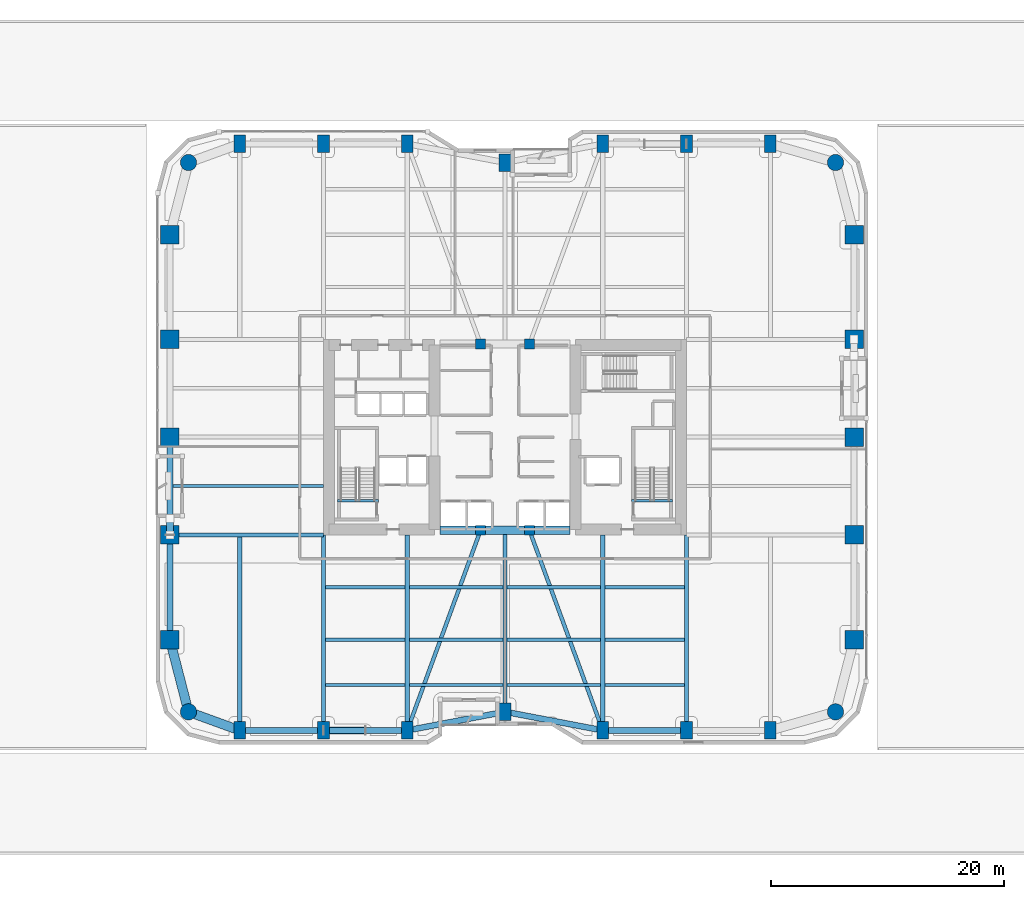
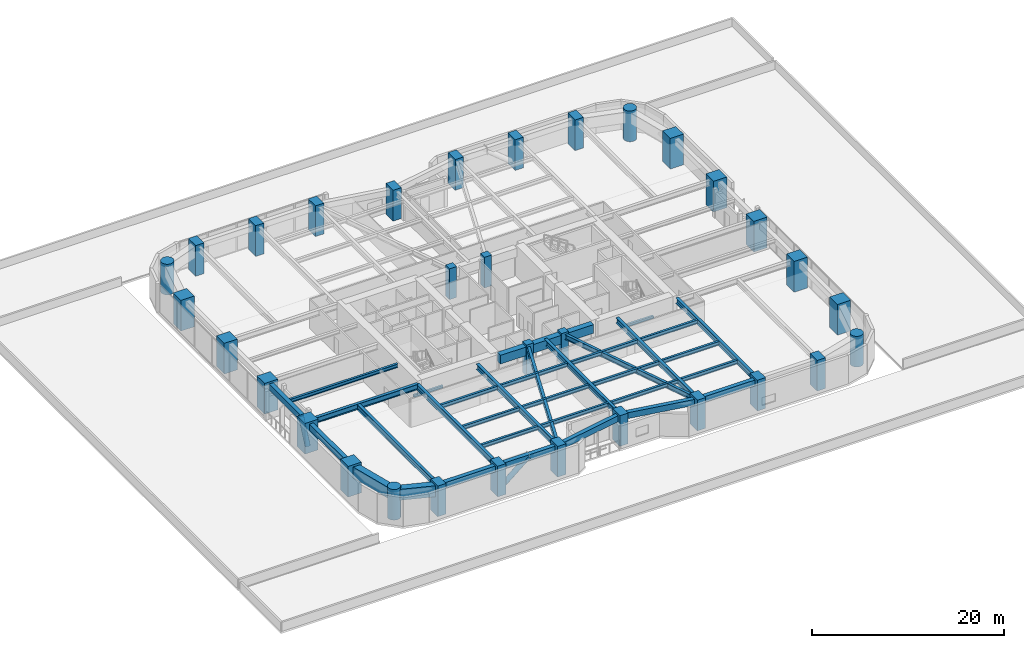
# One storey, part 1 of 38: 36 beams, 32 columns, 2 members.
"""IFC4 building model written with IfcOpenShell, lengths in metres."""

from ifc_helpers import new_model, si_unit, direction, frame, origin, origin_2d, place, context, subcontext, project, spatial, rectangle, circle, hollow_circle, i_section, extrude, material, material_profile, profile_set, type_object, element, save


model = new_model("IFC4")

# Units and contexts
model_context = context("Model", 3, precision=1e-05, world=origin(), true_north=direction((0.0, 1.0)))
body_context = subcontext(model_context, "Body", "Model", "MODEL_VIEW")
ifc_project = project(units=[si_unit("LENGTHUNIT", "METRE"), si_unit("AREAUNIT", "SQUARE_METRE"), si_unit("VOLUMEUNIT", "CUBIC_METRE"), si_unit("PLANEANGLEUNIT", "RADIAN"), si_unit("MASSUNIT", "GRAM", prefix="KILO")], contexts=[model_context])

# Site, building, storey
site_placement = place(None, origin())
site = spatial("IfcSite", under=ifc_project, at=site_placement, CompositionType="ELEMENT")
building_placement = place(site_placement, origin())
building = spatial("IfcBuilding", under=site, at=building_placement, Name="Kiyonajd Concourse Tower", CompositionType="ELEMENT")
storey_placement = place(building_placement, frame((0.0, 0.0, 21.60009765625)))
storey = spatial("IfcBuildingStorey", under=building, at=storey_placement, Name="L06", CompositionType="ELEMENT", Elevation=21.60009765625)

# Columns
ifc_material_1 = material(Name="Concrete C80/95", Category="concrete")
ifc_material_profile_1 = material_profile(ifc_material_1, rectangle(XDim=1.0, YDim=1.5, at=origin_2d()), Name="RC-1500x1000")
ifc_profile_set_1 = profile_set([ifc_material_profile_1], Name="Concrete C80/95")
column_type_1 = type_object("IfcColumnType", Name="CL-BLADE-1500", PredefinedType="COLUMN", material=ifc_profile_set_1)
for number, where, z_axis, x_axis, name in (
    (1, (25.199951171875, 10.800048828125, 0.0), (0.0, 0.0, 1.0), (1.0, 0.0, 0.0), "L06 Perimeter Bundled Tube Column"),
    (2, (25.199951171875, 61.199951171875, 0.0), (0.0, 0.0, 1.0), (1.0, 0.0, 0.0), "L06 Perimeter Bundled Tube Column"),
    (3, (32.39990234375, 10.800048828125, 0.0), (0.0, 0.0, 1.0), (1.0, 0.0, 0.0), "L06 Perimeter Bundled Tube Column"),
    (4, (32.39990234375, 61.199951171875, 0.0), (0.0, 0.0, 1.0), (1.0, 0.0, 0.0), "L06 Perimeter Bundled Tube Column"),
    (5, (39.60009765625, 10.800048828125, 0.0), (0.0, 0.0, 1.0), (1.0, 0.0, 0.0), "L06 Perimeter Bundled Tube Column"),
    (6, (39.60009765625, 61.199951171875, 0.0), (0.0, 0.0, 1.0), (1.0, 0.0, 0.0), "L06 Perimeter Bundled Tube Column"),
    (7, (48.0, 12.39990234375, 0.0), (0.0, 0.0, 1.0), (1.0, 0.0, 0.0), "L06 Perimeter Bundled Tube Column"),
    (8, (48.0, 59.60009765625, 0.0), (0.0, 0.0, 1.0), (1.0, 0.0, 0.0), "L06 Perimeter Bundled Tube Column"),
    (9, (56.39990234375, 10.800048828125, 0.0), (0.0, 0.0, 1.0), (1.0, 0.0, 0.0), "L06 Perimeter Bundled Tube Column"),
    (10, (56.39990234375, 61.199951171875, 0.0), (0.0, 0.0, 1.0), (1.0, 0.0, 0.0), "L06 Perimeter Bundled Tube Column"),
    (11, (63.60009765625, 10.800048828125, 0.0), (0.0, 0.0, 1.0), (1.0, 0.0, 0.0), "L06 Perimeter Bundled Tube Column"),
    (12, (63.60009765625, 61.199951171875, 0.0), (0.0, 0.0, 1.0), (1.0, 0.0, 0.0), "L06 Perimeter Bundled Tube Column"),
    (13, (70.800048828125, 10.800048828125, 0.0), (0.0, 0.0, 1.0), (1.0, 0.0, 0.0), "L06 Perimeter Bundled Tube Column"),
    (14, (70.800048828125, 61.199951171875, 0.0), (0.0, 0.0, 1.0), (1.0, 0.0, 0.0), "L06 Perimeter Bundled Tube Column"),
):
    element("IfcColumn", number, at=place(storey_placement, frame(where, z_axis=z_axis, x_axis=x_axis)), inside=storey, type_object=column_type_1, Name=name, PredefinedType="COLUMN", context=body_context, shape_type="SweptSolid", body=[
        extrude(rectangle(XDim=1.0, YDim=1.5, at=origin_2d()), origin(), (0.0, 0.0, 1.0), 3.89990234375),
    ])
ifc_material_profile_2 = material_profile(ifc_material_1, circle(Radius=0.699951171875, at=origin_2d()), Name="RCC-D1400")
ifc_profile_set_2 = profile_set([ifc_material_profile_2], Name="Concrete C80/95")
column_type_2 = type_object("IfcColumnType", Name="CL-RND-1400", PredefinedType="COLUMN", material=ifc_profile_set_2)
for number, where, z_axis, x_axis, name in (
    (15, (20.800048828125, 12.39990234375, 0.0), (0.0, 0.0, 1.0), (1.0, 0.0, 0.0), "L06 Bundled Tube Corner Column South West"),
    (16, (76.39990234375, 12.39990234375, 0.0), (0.0, 0.0, 1.0), (1.0, 0.0, 0.0), "L06 Bundled Tube Corner Column South East"),
    (17, (76.39990234375, 59.60009765625, 0.0), (0.0, 0.0, 1.0), (1.0, 0.0, 0.0), "L06 Bundled Tube Corner Column North East"),
    (18, (20.800048828125, 59.60009765625, 0.0), (0.0, 0.0, 1.0), (1.0, 0.0, 0.0), "L06 Bundled Tube Corner Column North West"),
):
    element("IfcColumn", number, at=place(storey_placement, frame(where, z_axis=z_axis, x_axis=x_axis)), inside=storey, type_object=column_type_2, Name=name, PredefinedType="COLUMN", context=body_context, shape_type="SweptSolid", body=[
        extrude(circle(Radius=0.699951171875, at=origin_2d()), origin(), (0.0, 0.0, 1.0), 3.89990234375),
    ])
ifc_material_profile_3 = material_profile(ifc_material_1, rectangle(XDim=1.60009765625, YDim=1.60009765625, at=origin_2d()), Name="RC-1600x1600")
ifc_profile_set_3 = profile_set([ifc_material_profile_3], Name="Concrete C80/95")
column_type_3 = type_object("IfcColumnType", Name="CL-TUBE-1600", PredefinedType="COLUMN", material=ifc_profile_set_3)
for number, where, z_axis, x_axis, name in (
    (19, (19.199951171875, 18.60009765625, 0.0), (0.0, 0.0, 1.0), (1.0, 0.0, 0.0), "L06 Perimeter Bundled Tube Column"),
    (20, (78.0, 18.60009765625, 0.0), (0.0, 0.0, 1.0), (1.0, 0.0, 0.0), "L06 Perimeter Bundled Tube Column"),
    (21, (19.199951171875, 27.60009765625, 0.0), (0.0, 0.0, 1.0), (1.0, 0.0, 0.0), "L06 Perimeter Bundled Tube Column"),
    (22, (78.0, 27.60009765625, 0.0), (0.0, 0.0, 1.0), (1.0, 0.0, 0.0), "L06 Perimeter Bundled Tube Column"),
    (23, (19.199951171875, 36.0, 0.0), (0.0, 0.0, 1.0), (1.0, 0.0, 0.0), "L06 Perimeter Bundled Tube Column"),
    (24, (78.0, 36.0, 0.0), (0.0, 0.0, 1.0), (1.0, 0.0, 0.0), "L06 Perimeter Bundled Tube Column"),
    (25, (19.199951171875, 44.39990234375, 0.0), (0.0, 0.0, 1.0), (1.0, 0.0, 0.0), "L06 Perimeter Bundled Tube Column"),
    (26, (78.0, 44.39990234375, 0.0), (0.0, 0.0, 1.0), (1.0, 0.0, 0.0), "L06 Perimeter Bundled Tube Column"),
    (27, (19.199951171875, 53.39990234375, 0.0), (0.0, 0.0, 1.0), (1.0, 0.0, 0.0), "L06 Perimeter Bundled Tube Column"),
    (28, (78.0, 53.39990234375, 0.0), (0.0, 0.0, 1.0), (1.0, 0.0, 0.0), "L06 Perimeter Bundled Tube Column"),
):
    element("IfcColumn", number, at=place(storey_placement, frame(where, z_axis=z_axis, x_axis=x_axis)), inside=storey, type_object=column_type_3, Name=name, PredefinedType="COLUMN", context=body_context, shape_type="SweptSolid", body=[
        extrude(rectangle(XDim=1.60009765625, YDim=1.60009765625, at=origin_2d()), origin(), (0.0, 0.0, 1.0), 3.89990234375),
    ])
ifc_material_2 = material(Name="Concrete C60/75", Category="concrete")
ifc_material_profile_4 = material_profile(ifc_material_2, rectangle(XDim=0.85009765625, YDim=0.85009765625, at=origin_2d()), Name="RC-850x850")
ifc_profile_set_4 = profile_set([ifc_material_profile_4], Name="Concrete C60/75")
column_type_4 = type_object("IfcColumnType", Name="CL-TUBE-850", PredefinedType="COLUMN", material=ifc_profile_set_4)
for number, where, z_axis, x_axis, name in (
    (29, (45.89990234375, 28.0, 0.0), (0.0, 0.0, 1.0), (1.0, 0.0, 0.0), "L06 Core Tie Column South West"),
    (30, (50.10009765625, 28.0, 0.0), (0.0, 0.0, 1.0), (1.0, 0.0, 0.0), "L06 Core Tie Column South East"),
    (31, (45.89990234375, 44.0, 0.0), (0.0, 0.0, 1.0), (1.0, 0.0, 0.0), "L06 Core Tie Column North West"),
    (32, (50.10009765625, 44.0, 0.0), (0.0, 0.0, 1.0), (1.0, 0.0, 0.0), "L06 Core Tie Column North East"),
):
    element("IfcColumn", number, at=place(storey_placement, frame(where, z_axis=z_axis, x_axis=x_axis)), inside=storey, type_object=column_type_4, Name=name, PredefinedType="COLUMN", context=body_context, shape_type="SweptSolid", body=[
        extrude(rectangle(XDim=0.85009765625, YDim=0.85009765625, at=origin_2d()), origin(), (0.0, 0.0, 1.0), 3.89990234375),
    ])

# Beams
ifc_material_3 = material(Name="Concrete C70/85", Category="concrete")
ifc_material_profile_5 = material_profile(ifc_material_3, rectangle(XDim=0.699951171875, YDim=1.10009765625, at=origin_2d()), Name="RCBM-700x1100")
ifc_profile_set_5 = profile_set([ifc_material_profile_5], Name="Concrete C70/85")
beam_type_1 = type_object("IfcBeamType", Name="BM-COUP-1100", PredefinedType="LINTEL", material=ifc_profile_set_5)
beam_1_placement = place(storey_placement, frame((42.39990234375, 28.0, 3.08984375), z_axis=(1.0, 0.0, 0.0), x_axis=(0.0, 1.0, 0.0)))
element("IfcBeam", 33, at=beam_1_placement, inside=storey, type_object=beam_type_1, Name="L06 Core Coupling Beam S1", PredefinedType="LINTEL", context=body_context, shape_type="SweptSolid", body=[
    extrude(rectangle(XDim=0.699951171875, YDim=1.10009765625, at=origin_2d()), origin(), (0.0, 0.0, 1.0), 3.5),
])
beam_2_placement = place(storey_placement, frame((45.89990234375, 28.0, 3.08984375), z_axis=(1.0, 0.0, 0.0), x_axis=(0.0, 1.0, 0.0)))
element("IfcBeam", 34, at=beam_2_placement, inside=storey, type_object=beam_type_1, Name="L06 Core Coupling Beam S2", PredefinedType="LINTEL", context=body_context, shape_type="SweptSolid", body=[
    extrude(rectangle(XDim=0.699951171875, YDim=1.10009765625, at=origin_2d()), origin(), (0.0, 0.0, 1.0), 4.2001953125),
])
beam_3_placement = place(storey_placement, frame((50.10009765625, 28.0, 3.08984375), z_axis=(1.0, 0.0, 0.0), x_axis=(0.0, 1.0, 0.0)))
element("IfcBeam", 35, at=beam_3_placement, inside=storey, type_object=beam_type_1, Name="L06 Core Coupling Beam S3", PredefinedType="LINTEL", context=body_context, shape_type="SweptSolid", body=[
    extrude(rectangle(XDim=0.699951171875, YDim=1.10009765625, at=origin_2d()), origin(), (0.0, 0.0, 1.0), 3.5),
])
ifc_material_4 = material(Name="Steel ASTM A992 Grade 50", Category="steel")
ifc_material_profile_6 = material_profile(ifc_material_4, i_section(OverallWidth=0.280029296875, OverallDepth=0.462890625, WebThickness=0.0107421875, FlangeThickness=0.017333984375, at=origin_2d()), Name="W460X113")
ifc_profile_set_6 = profile_set([ifc_material_profile_6], Name="Steel ASTM A992 Grade 50")
beam_type_2 = type_object("IfcBeamType", Name="BM-JST-460A", PredefinedType="JOIST", material=ifc_profile_set_6)
beam_4_placement = place(storey_placement, frame((32.577392578125, 14.699951171875, 3.408447265625), z_axis=(1.0, 0.0, 0.0), x_axis=(0.0, 1.0, 0.0)))
element("IfcBeam", 36, at=beam_4_placement, inside=storey, type_object=beam_type_2, Name="L06 Secondary Floor Joist", PredefinedType="JOIST", context=body_context, shape_type="SweptSolid", body=[
    extrude(i_section(OverallWidth=0.280029296875, OverallDepth=0.462890625, WebThickness=0.0107421875, FlangeThickness=0.017333984375, at=origin_2d()), origin(), (0.0, 0.0, 1.0), 6.84521484375),
])
for number, where, z_axis, x_axis, name in (
    (37, (39.777587890625, 14.699951171875, 3.408447265625), (1.0, 0.0, 0.0), (0.0, 1.0, 0.0), "L06 Secondary Floor Joist"),
    (38, (48.177490234375, 14.699951171875, 3.408447265625), (1.0, 0.0, 0.0), (0.0, 1.0, 0.0), "L06 Secondary Floor Joist"),
):
    element("IfcBeam", number, at=place(storey_placement, frame(where, z_axis=z_axis, x_axis=x_axis)), inside=storey, type_object=beam_type_2, Name=name, PredefinedType="JOIST", context=body_context, shape_type="SweptSolid", body=[
        extrude(i_section(OverallWidth=0.280029296875, OverallDepth=0.462890625, WebThickness=0.0107421875, FlangeThickness=0.017333984375, at=origin_2d()), origin(), (0.0, 0.0, 1.0), 8.044921875),
    ])
for number, where, z_axis, x_axis, name in (
    (39, (56.577392578125, 14.699951171875, 3.408447265625), (1.0, 0.0, 0.0), (0.0, 1.0, 0.0), "L06 Secondary Floor Joist"),
    (40, (32.577392578125, 18.60009765625, 3.408447265625), (1.0, 0.0, 0.0), (0.0, 1.0, 0.0), "L06 Secondary Floor Joist"),
):
    element("IfcBeam", number, at=place(storey_placement, frame(where, z_axis=z_axis, x_axis=x_axis)), inside=storey, type_object=beam_type_2, Name=name, PredefinedType="JOIST", context=body_context, shape_type="SweptSolid", body=[
        extrude(i_section(OverallWidth=0.280029296875, OverallDepth=0.462890625, WebThickness=0.0107421875, FlangeThickness=0.017333984375, at=origin_2d()), origin(), (0.0, 0.0, 1.0), 6.84521484375),
    ])
for number, where, z_axis, x_axis, name in (
    (41, (39.777587890625, 18.60009765625, 3.408447265625), (1.0, 0.0, 0.0), (0.0, 1.0, 0.0), "L06 Secondary Floor Joist"),
    (42, (48.177490234375, 18.60009765625, 3.408447265625), (1.0, 0.0, 0.0), (0.0, 1.0, 0.0), "L06 Secondary Floor Joist"),
):
    element("IfcBeam", number, at=place(storey_placement, frame(where, z_axis=z_axis, x_axis=x_axis)), inside=storey, type_object=beam_type_2, Name=name, PredefinedType="JOIST", context=body_context, shape_type="SweptSolid", body=[
        extrude(i_section(OverallWidth=0.280029296875, OverallDepth=0.462890625, WebThickness=0.0107421875, FlangeThickness=0.017333984375, at=origin_2d()), origin(), (0.0, 0.0, 1.0), 8.044921875),
    ])
for number, where, z_axis, x_axis, name in (
    (43, (56.577392578125, 18.60009765625, 3.408447265625), (1.0, 0.0, 0.0), (0.0, 1.0, 0.0), "L06 Secondary Floor Joist"),
    (44, (32.577392578125, 23.10009765625, 3.408447265625), (1.0, 0.0, 0.0), (0.0, 1.0, 0.0), "L06 Secondary Floor Joist"),
):
    element("IfcBeam", number, at=place(storey_placement, frame(where, z_axis=z_axis, x_axis=x_axis)), inside=storey, type_object=beam_type_2, Name=name, PredefinedType="JOIST", context=body_context, shape_type="SweptSolid", body=[
        extrude(i_section(OverallWidth=0.280029296875, OverallDepth=0.462890625, WebThickness=0.0107421875, FlangeThickness=0.017333984375, at=origin_2d()), origin(), (0.0, 0.0, 1.0), 6.84521484375),
    ])
for number, where, z_axis, x_axis, name in (
    (45, (39.777587890625, 23.10009765625, 3.408447265625), (1.0, 0.0, 0.0), (0.0, 1.0, 0.0), "L06 Secondary Floor Joist"),
    (46, (48.177490234375, 23.10009765625, 3.408447265625), (1.0, 0.0, 0.0), (0.0, 1.0, 0.0), "L06 Secondary Floor Joist"),
):
    element("IfcBeam", number, at=place(storey_placement, frame(where, z_axis=z_axis, x_axis=x_axis)), inside=storey, type_object=beam_type_2, Name=name, PredefinedType="JOIST", context=body_context, shape_type="SweptSolid", body=[
        extrude(i_section(OverallWidth=0.280029296875, OverallDepth=0.462890625, WebThickness=0.0107421875, FlangeThickness=0.017333984375, at=origin_2d()), origin(), (0.0, 0.0, 1.0), 8.044921875),
    ])
beam_5_placement = place(storey_placement, frame((56.577392578125, 23.10009765625, 3.408447265625), z_axis=(1.0, 0.0, 0.0), x_axis=(0.0, 1.0, 0.0)))
element("IfcBeam", 47, at=beam_5_placement, inside=storey, type_object=beam_type_2, Name="L06 Secondary Floor Joist", PredefinedType="JOIST", context=body_context, shape_type="SweptSolid", body=[
    extrude(i_section(OverallWidth=0.280029296875, OverallDepth=0.462890625, WebThickness=0.0107421875, FlangeThickness=0.017333984375, at=origin_2d()), origin(), (0.0, 0.0, 1.0), 6.84521484375),
])
beam_6_placement = place(storey_placement, frame((19.449951171875, 31.800048828125, 3.408447265625), z_axis=(1.0, 0.0, 0.0), x_axis=(0.0, 1.0, 0.0)))
element("IfcBeam", 48, at=beam_6_placement, inside=storey, type_object=beam_type_2, Name="L06 West Secondary Floor Joist", PredefinedType="JOIST", context=body_context, shape_type="SweptSolid", body=[
    extrude(i_section(OverallWidth=0.280029296875, OverallDepth=0.462890625, WebThickness=0.0107421875, FlangeThickness=0.017333984375, at=origin_2d()), origin(), (0.0, 0.0, 1.0), 12.949951171875),
])
ifc_material_5 = material(Name="Concrete C50/60", Category="concrete")
ifc_material_profile_7 = material_profile(ifc_material_5, rectangle(XDim=0.239990234375, YDim=0.320068359375, at=origin_2d()), Name="RCBM-240x320")
ifc_profile_set_7 = profile_set([ifc_material_profile_7], Name="Concrete C50/60")
beam_type_3 = type_object("IfcBeamType", Name="BM-LNT-250", PredefinedType="LINTEL", material=ifc_profile_set_7)
for number, where, z_axis, x_axis, name in (
    (49, (33.590087890625, 30.530029296875, -0.16015625), (1.0, 0.0, 0.0), (0.0, 1.0, 0.0), "L06 Stair ST1 Threshold Support Beam"),
    (50, (58.889892578125, 30.530029296875, -0.16015625), (1.0, 0.0, 0.0), (0.0, 1.0, 0.0), "L06 Stair ST2 Threshold Support Beam"),
):
    element("IfcBeam", number, at=place(storey_placement, frame(where, z_axis=z_axis, x_axis=x_axis)), inside=storey, type_object=beam_type_3, Name=name, PredefinedType="LINTEL", context=body_context, shape_type="SweptSolid", body=[
        extrude(rectangle(XDim=0.239990234375, YDim=0.320068359375, at=origin_2d()), origin(), (0.0, 0.0, 1.0), 3.52001953125),
    ])
ifc_material_6 = material(Name="Precast concrete C50/60", Category="concrete")
ifc_material_profile_8 = material_profile(ifc_material_6, rectangle(XDim=0.5, YDim=0.75, at=origin_2d()), Name="RCBM-500x750")
ifc_profile_set_8 = profile_set([ifc_material_profile_8], Name="Precast concrete C50/60")
beam_type_4 = type_object("IfcBeamType", Name="BM-SPAN-RC", PredefinedType="SPANDREL", material=ifc_profile_set_8)
beam_7_placement = place(storey_placement, frame((19.199951171875, 27.60009765625, 3.264892578125), z_axis=(0.0, -1.0, 0.0), x_axis=(1.0, 0.0, 0.0)))
element("IfcBeam", 51, at=beam_7_placement, inside=storey, type_object=beam_type_4, Name="L06 Perimeter Bundled Tube Spandrel", PredefinedType="SPANDREL", context=body_context, shape_type="SweptSolid", body=[
    extrude(rectangle(XDim=0.5, YDim=0.75, at=origin_2d()), origin(), (0.0, 0.0, 1.0), 9.0),
])
beam_8_placement = place(storey_placement, frame((25.199951171875, 10.800048828125, 3.264892578125), z_axis=(1.0, 0.0, 0.0), x_axis=(0.0, 1.0, 0.0)))
element("IfcBeam", 52, at=beam_8_placement, inside=storey, type_object=beam_type_4, Name="L06 Perimeter Bundled Tube Spandrel", PredefinedType="SPANDREL", context=body_context, shape_type="SweptSolid", body=[
    extrude(rectangle(XDim=0.5, YDim=0.75, at=origin_2d()), origin(), (0.0, 0.0, 1.0), 7.199951171875),
])
beam_9_placement = place(storey_placement, frame((32.39990234375, 10.800048828125, 3.264892578125), z_axis=(1.0, 0.0, 0.0), x_axis=(0.0, 1.0, 0.0)))
element("IfcBeam", 53, at=beam_9_placement, inside=storey, type_object=beam_type_4, Name="L06 Perimeter Bundled Tube Spandrel", PredefinedType="SPANDREL", context=body_context, shape_type="SweptSolid", body=[
    extrude(rectangle(XDim=0.5, YDim=0.75, at=origin_2d()), origin(), (0.0, 0.0, 1.0), 7.2001953125),
])
for number, where, z_axis, x_axis, name in (
    (54, (39.60009765625, 10.800048828125, 3.264892578125), (0.982341315253, 0.187097675953, 0.0), (-0.187097675953, 0.982341315253, 0.0), "L06 Perimeter Bundled Tube Spandrel"),
    (55, (48.0, 12.39990234375, 3.264892578125), (0.982341315253, -0.187097675953, 0.0), (0.187097675953, 0.982341315253, 0.0), "L06 Perimeter Bundled Tube Spandrel"),
):
    element("IfcBeam", number, at=place(storey_placement, frame(where, z_axis=z_axis, x_axis=x_axis)), inside=storey, type_object=beam_type_4, Name=name, PredefinedType="SPANDREL", context=body_context, shape_type="SweptSolid", body=[
        extrude(rectangle(XDim=0.5, YDim=0.75, at=origin_2d()), origin(), (0.0, 0.0, 1.0), 8.55078125),
    ])
beam_10_placement = place(storey_placement, frame((56.39990234375, 10.800048828125, 3.264892578125), z_axis=(1.0, 0.0, 0.0), x_axis=(0.0, 1.0, 0.0)))
element("IfcBeam", 56, at=beam_10_placement, inside=storey, type_object=beam_type_4, Name="L06 Perimeter Bundled Tube Spandrel", PredefinedType="SPANDREL", context=body_context, shape_type="SweptSolid", body=[
    extrude(rectangle(XDim=0.5, YDim=0.75, at=origin_2d()), origin(), (0.0, 0.0, 1.0), 7.2001953125),
])
beam_11_placement = place(storey_placement, frame((19.199951171875, 36.0, 3.264892578125), z_axis=(0.0, -1.0, 0.0), x_axis=(1.0, 0.0, 0.0)))
element("IfcBeam", 57, at=beam_11_placement, inside=storey, type_object=beam_type_4, Name="L06 Perimeter Bundled Tube Spandrel", PredefinedType="SPANDREL", context=body_context, shape_type="SweptSolid", body=[
    extrude(rectangle(XDim=0.5, YDim=0.75, at=origin_2d()), origin(), (0.0, 0.0, 1.0), 8.39990234375),
])
ifc_material_profile_9 = material_profile(ifc_material_4, i_section(OverallWidth=0.326904296875, OverallDepth=0.6220703125, WebThickness=0.015380859375, FlangeThickness=0.0244140625, at=origin_2d()), Name="W610X195")
ifc_profile_set_9 = profile_set([ifc_material_profile_9], Name="Steel ASTM A992 Grade 50")
beam_type_5 = type_object("IfcBeamType", Name="BM-TWR-610A", PredefinedType="BEAM", material=ifc_profile_set_9)
for number, where, z_axis, x_axis, name in (
    (58, (39.60009765625, 10.800048828125, 3.328857421875), (0.343925269715, 0.938997022813, 0.0), (-0.938997022813, 0.343925269715, 0.0), "L06 Core Tie Girder"),
    (59, (50.10009765625, 28.0, 3.328857421875), (0.343925269715, -0.938997022813, 0.0), (0.938997022813, 0.343925269715, 0.0), "L06 Core Tie Girder"),
):
    element("IfcBeam", number, at=place(storey_placement, frame(where, z_axis=z_axis, x_axis=x_axis)), inside=storey, type_object=beam_type_5, Name=name, PredefinedType="BEAM", context=body_context, shape_type="SweptSolid", body=[
        extrude(i_section(OverallWidth=0.326904296875, OverallDepth=0.6220703125, WebThickness=0.015380859375, FlangeThickness=0.0244140625, at=origin_2d()), origin(), (0.0, 0.0, 1.0), 18.3173828125),
    ])
ifc_material_profile_10 = material_profile(ifc_material_4, i_section(OverallWidth=0.35498046875, OverallDepth=0.695068359375, WebThickness=0.015380859375, FlangeThickness=0.02490234375, at=origin_2d()), Name="W690X217")
ifc_profile_set_10 = profile_set([ifc_material_profile_10], Name="Steel ASTM A992 Grade 50")
beam_type_6 = type_object("IfcBeamType", Name="BM-TWR-690", PredefinedType="BEAM", material=ifc_profile_set_10)
for number, where, z_axis, x_axis, name in (
    (60, (25.199951171875, 10.800048828125, 3.29248046875), (0.0, 1.0, 0.0), (-1.0, 0.0, 0.0), "L06 South Lease Girder"),
    (61, (32.39990234375, 10.800048828125, 3.29248046875), (0.0, 1.0, 0.0), (-1.0, 0.0, 0.0), "L06 South Lease Girder"),
    (62, (39.60009765625, 10.800048828125, 3.29248046875), (0.0, 1.0, 0.0), (-1.0, 0.0, 0.0), "L06 South Lease Girder"),
    (63, (56.39990234375, 10.800048828125, 3.29248046875), (0.0, 1.0, 0.0), (-1.0, 0.0, 0.0), "L06 South Lease Girder"),
    (64, (63.60009765625, 10.800048828125, 3.29248046875), (0.0, 1.0, 0.0), (-1.0, 0.0, 0.0), "L06 South Lease Girder"),
):
    element("IfcBeam", number, at=place(storey_placement, frame(where, z_axis=z_axis, x_axis=x_axis)), inside=storey, type_object=beam_type_6, Name=name, PredefinedType="BEAM", context=body_context, shape_type="SweptSolid", body=[
        extrude(i_section(OverallWidth=0.35498046875, OverallDepth=0.695068359375, WebThickness=0.015380859375, FlangeThickness=0.02490234375, at=origin_2d()), origin(), (0.0, 0.0, 1.0), 16.800048828125),
    ])
beam_12_placement = place(storey_placement, frame((48.0, 12.39990234375, 3.29248046875), z_axis=(0.0, 1.0, 0.0), x_axis=(-1.0, 0.0, 0.0)))
element("IfcBeam", 65, at=beam_12_placement, inside=storey, type_object=beam_type_6, Name="L06 South Ribbon Girder", PredefinedType="BEAM", context=body_context, shape_type="SweptSolid", body=[
    extrude(i_section(OverallWidth=0.35498046875, OverallDepth=0.695068359375, WebThickness=0.015380859375, FlangeThickness=0.02490234375, at=origin_2d()), origin(), (0.0, 0.0, 1.0), 15.60009765625),
])
beam_13_placement = place(storey_placement, frame((19.199951171875, 27.60009765625, 3.29248046875), z_axis=(1.0, 0.0, 0.0), x_axis=(0.0, 1.0, 0.0)))
element("IfcBeam", 66, at=beam_13_placement, inside=storey, type_object=beam_type_6, Name="L06 West Lease Girder", PredefinedType="BEAM", context=body_context, shape_type="SweptSolid", body=[
    extrude(i_section(OverallWidth=0.35498046875, OverallDepth=0.695068359375, WebThickness=0.015380859375, FlangeThickness=0.02490234375, at=origin_2d()), origin(), (0.0, 0.0, 1.0), 13.199951171875),
])
ifc_material_profile_11 = material_profile(ifc_material_2, rectangle(XDim=0.800048828125, YDim=1.39990234375, at=origin_2d()), Name="RCBM-800x1400")
ifc_profile_set_11 = profile_set([ifc_material_profile_11], Name="Concrete C60/75")
beam_type_7 = type_object("IfcBeamType", Name="BM-XFER-RC", PredefinedType="BEAM", material=ifc_profile_set_11)
beam_14_placement = place(storey_placement, frame((19.199951171875, 18.60009765625, 2.93994140625), z_axis=(0.249884937687, -0.968275538221, 0.0), x_axis=(0.968275538221, 0.249884937687, 0.0)))
element("IfcBeam", 67, at=beam_14_placement, inside=storey, type_object=beam_type_7, Name="L06 Perimeter Bundled Tube Spandrel", PredefinedType="BEAM", context=body_context, shape_type="SweptSolid", body=[
    extrude(rectangle(XDim=0.800048828125, YDim=1.39990234375, at=origin_2d()), origin(), (0.0, 0.0, 1.0), 6.4033203125),
])
beam_15_placement = place(storey_placement, frame((20.800048828125, 12.39990234375, 2.93994140625), z_axis=(0.939801036019, -0.341722127901, 0.0), x_axis=(0.341722127901, 0.939801036019, 0.0)))
element("IfcBeam", 68, at=beam_15_placement, inside=storey, type_object=beam_type_7, Name="L06 Perimeter Bundled Tube Spandrel", PredefinedType="BEAM", context=body_context, shape_type="SweptSolid", body=[
    extrude(rectangle(XDim=0.800048828125, YDim=1.39990234375, at=origin_2d()), origin(), (0.0, 0.0, 1.0), 4.681640625),
])

# Members
ifc_material_7 = material(Name="Steel ASTM A572 Grade 50", Category="steel")
ifc_material_profile_12 = material_profile(ifc_material_7, hollow_circle(Radius=0.304931640625, WallThickness=0.02490234375, at=origin_2d()), Name="CHS-610x25")
ifc_profile_set_12 = profile_set([ifc_material_profile_12], Name="Steel ASTM A572 Grade 50")
member_type = type_object("IfcMemberType", Name="MB-PB-LOW", PredefinedType="BRACE", material=ifc_profile_set_12)
member_1_placement = place(storey_placement, frame((32.39990234375, 10.800048828125, 0.2998046875), z_axis=(0.769280705518, 0.0, 0.638910945373), x_axis=(0.0, 1.0, 0.0)))
element("IfcMember", 69, at=member_1_placement, inside=storey, type_object=member_type, Name="L06 Lower Zone Welded Tube Brace PBS", PredefinedType="BRACE", context=body_context, shape_type="SweptSolid", body=[
    extrude(hollow_circle(Radius=0.304931640625, WallThickness=0.02490234375, at=origin_2d()), origin(), (0.0, 0.0, 1.0), 4.679931640625),
])
member_2_placement = place(storey_placement, frame((19.199951171875, 27.60009765625, 0.2998046875), z_axis=(0.0, 0.424022702926, 0.905651559598), x_axis=(-1.0, 0.0, 0.0)))
element("IfcMember", 70, at=member_2_placement, inside=storey, type_object=member_type, Name="L06 Lower Zone Welded Tube Brace PBW", PredefinedType="BRACE", context=body_context, shape_type="SweptSolid", body=[
    extrude(hollow_circle(Radius=0.304931640625, WallThickness=0.02490234375, at=origin_2d()), origin(), (0.0, 0.0, 1.0), 3.301513671875),
])

save(model, "model.ifc")
